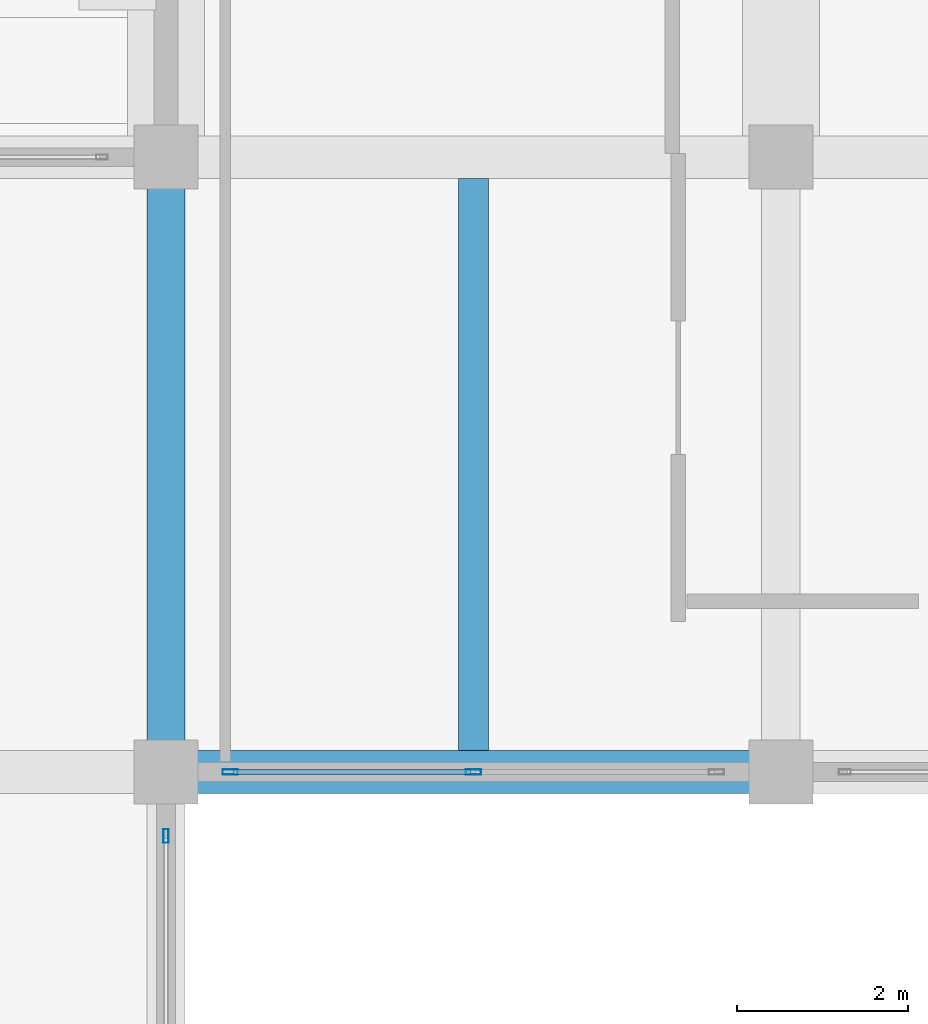
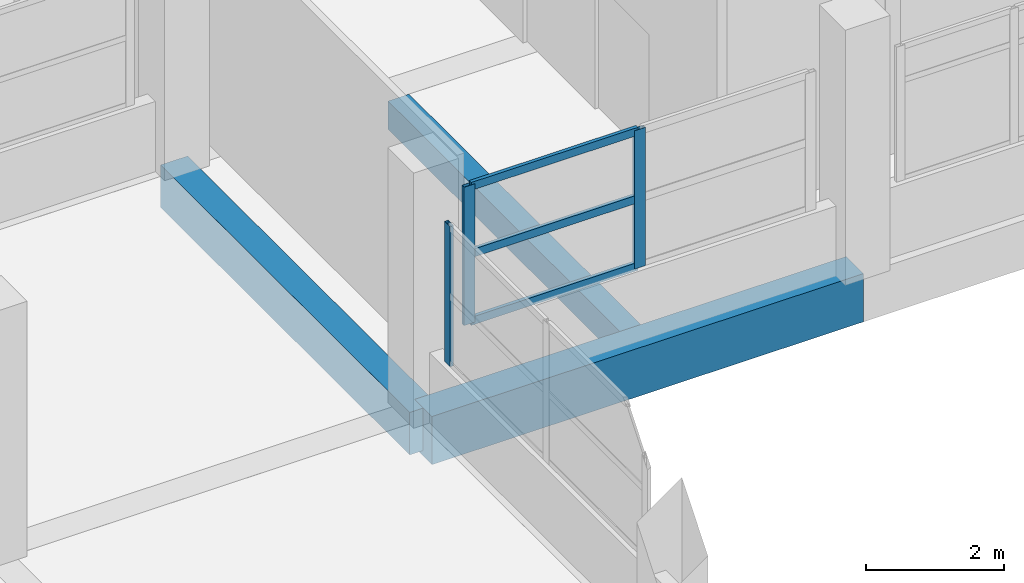
# One storey, part 65 of 141: 6 members, 3 beams, 2 elements without a shape of their own.
"""IFC4 building model written with IfcOpenShell, lengths in metres."""

import ifcopenshell
import ifcopenshell.guid

model = None  # the IFC model being written
_history = None  # IfcOwnerHistory: only IFC2X3 demands one
_inside = {}  # id of a spatial element -> (the spatial element, [elements in it])
_under = {}  # id of a project, library or spatial element -> (it, [spatial elements below it])
_declared = {}  # id of a project -> (the project, [libraries it declares])
_typed = {}  # id of a type object -> (the type object, [elements of that type])
_made_of = {}  # id of a material, layer set ... -> (it, [elements and type objects made of it])


def new_model(schema):
    """Start an empty IFC model of exactly this schema.

    Asked for "IFC4X3", IfcOpenShell would pick the latest addendum, in which some entities
    have other attributes; the version numbers below select the first issue.
    IFC2X3 requires an IfcOwnerHistory on every rooted entity: one is made here for all.
    """
    global model, _history
    if schema == "IFC4X3":
        model = ifcopenshell.file(schema_version=(4, 3, 0, 0))
    else:
        model = ifcopenshell.file(schema=schema)
    _inside.clear()
    _under.clear()
    _declared.clear()
    _typed.clear()
    _made_of.clear()
    _history = None
    if model.schema == "IFC2X3":
        org = make("IfcOrganization", Name="unknown")
        user = make(
            "IfcPersonAndOrganization",
            ThePerson=make("IfcPerson", FamilyName="unknown"),
            TheOrganization=org,
        )
        app = make(
            "IfcApplication",
            ApplicationDeveloper=org,
            Version="unknown",
            ApplicationFullName="unknown",
            ApplicationIdentifier="unknown",
        )
        _history = make(
            "IfcOwnerHistory",
            OwningUser=user,
            OwningApplication=app,
            ChangeAction="ADDED",
            CreationDate=0,
        )
    return model


def make(cls, **values):
    """One entity of the class cls with the attributes given. An attribute that is None is left unset."""
    return model.create_entity(
        cls, **{name: value for name, value in values.items() if value is not None}
    )


def rooted(cls, **values):
    """An entity with a GlobalId (a new one), such as an element, a storey or a relation."""
    return make(cls, GlobalId=ifcopenshell.guid.new(), OwnerHistory=_history, **values)


def si_unit(unit_type, name, prefix=None):
    """IfcSIUnit, for example si_unit("LENGTHUNIT", "METRE", prefix="MILLI")."""
    return make("IfcSIUnit", UnitType=unit_type, Prefix=prefix, Name=name)


def assignment(units):
    """IfcUnitAssignment: the units of a project."""
    return None if units is None else make("IfcUnitAssignment", Units=units)


def point(xyz):
    """IfcCartesianPoint."""
    return None if xyz is None else make("IfcCartesianPoint", Coordinates=xyz)


def direction(xyz):
    """IfcDirection."""
    return None if xyz is None else make("IfcDirection", DirectionRatios=xyz)


def frame(location, z_axis=None, x_axis=None):
    """IfcAxis2Placement3D, a coordinate frame: its origin and axes. An axis left out is left unset."""
    return make(
        "IfcAxis2Placement3D",
        Location=point(location),
        Axis=direction(z_axis),
        RefDirection=direction(x_axis),
    )


def frame_2d(location, x_axis=None):
    """IfcAxis2Placement2D, a coordinate frame in the plane: its origin and x axis."""
    return make(
        "IfcAxis2Placement2D", Location=point(location), RefDirection=direction(x_axis)
    )


def origin():
    """The frame at (0, 0, 0) with its axes left unset."""
    return frame((0.0, 0.0, 0.0))


def origin_2d():
    """The frame at (0, 0) in the plane with its x axis left unset."""
    return frame_2d((0.0, 0.0))


def place(relative_to, where):
    """IfcLocalPlacement: puts the frame where relative to a parent placement (None: the world)."""
    return make(
        "IfcLocalPlacement", PlacementRelTo=relative_to, RelativePlacement=where
    )


def context(
    kind, dimensions, precision=None, world=None, true_north=None, identifier=None
):
    """IfcGeometricRepresentationContext, for example the 3D "Model" context."""
    return make(
        "IfcGeometricRepresentationContext",
        ContextIdentifier=identifier,
        ContextType=kind,
        CoordinateSpaceDimension=dimensions,
        Precision=precision,
        WorldCoordinateSystem=world,
        TrueNorth=true_north,
    )


def subcontext(parent, identifier, kind, view, scale=None):
    """IfcGeometricRepresentationSubContext, for example "Body" below "Model"."""
    return make(
        "IfcGeometricRepresentationSubContext",
        ContextIdentifier=identifier,
        ContextType=kind,
        ParentContext=parent,
        TargetScale=scale,
        TargetView=view,
    )


def project(units=None, contexts=None):
    """IfcProject with its units and contexts."""
    return rooted(
        "IfcProject",
        Name="project",
        RepresentationContexts=contexts,
        UnitsInContext=assignment(units),
    )


def spatial(cls, under=None, at=None, **own):
    """A site, building, storey or space (cls), placed at a placement, below another one or the project."""
    s = rooted(cls, ObjectPlacement=at, **own)
    if under is not None:
        _under.setdefault(under.id(), (under, []))[1].append(s)
    return s


def profile(cls, at=None, kind="AREA", **sizes):
    """A parametric profile (cls). Its sizes go by their IFC names, for example OverallWidth=200.0."""
    return make(cls, ProfileType=kind, Position=at, **sizes)


def rectangle(**sizes):
    """IfcRectangleProfileDef."""
    return profile("IfcRectangleProfileDef", **sizes)


def hollow_rectangle(**sizes):
    """IfcRectangleHollowProfileDef."""
    return profile("IfcRectangleHollowProfileDef", **sizes)


def extrude(swept, where, along, depth):
    """IfcExtrudedAreaSolid: the profile swept, set in the frame where, extruded along a direction by depth."""
    return make(
        "IfcExtrudedAreaSolid",
        SweptArea=swept,
        Position=where,
        ExtrudedDirection=direction(along),
        Depth=depth,
    )


def shape(context_of_items, identifier, shape_type, items):
    """IfcShapeRepresentation: the items that make up one representation, for example the "Body"."""
    return make(
        "IfcShapeRepresentation",
        ContextOfItems=context_of_items,
        RepresentationIdentifier=identifier,
        RepresentationType=shape_type,
        Items=items,
    )


def material(Name=None, Category=None):
    """IfcMaterial."""
    return make("IfcMaterial", Name=Name, Category=Category)


def layer(
    of_material, thickness, ventilated=None, Name=None, Category=None, Priority=None
):
    """IfcMaterialLayer: one layer of a wall or slab, of a material (None: an air gap)."""
    return make(
        "IfcMaterialLayer",
        Material=of_material,
        LayerThickness=thickness,
        IsVentilated=ventilated,
        Name=Name,
        Category=Category,
        Priority=Priority,
    )


def layer_set(layers, Name=None):
    """IfcMaterialLayerSet."""
    return make("IfcMaterialLayerSet", MaterialLayers=layers, LayerSetName=Name)


def material_profile(
    of_material, cross_section, Name=None, Category=None, Priority=None
):
    """IfcMaterialProfile: a cross section and its material."""
    return make(
        "IfcMaterialProfile",
        Name=Name,
        Material=of_material,
        Profile=cross_section,
        Priority=Priority,
        Category=Category,
    )


def profile_set(profiles, Name=None, composite=None):
    """IfcMaterialProfileSet."""
    return make(
        "IfcMaterialProfileSet",
        Name=Name,
        MaterialProfiles=profiles,
        CompositeProfile=composite,
    )


def made_of(thing, what):
    """Note that an element or type object is made of a material, layer set ...; save() writes the relation."""
    if what is not None:
        _made_of.setdefault(what.id(), (what, []))[1].append(thing)
    return thing


def type_object(cls, material=None, **own):
    """A type object (cls), such as IfcWallType, which elements share."""
    return made_of(rooted(cls, **own), material)


def element(
    cls,
    number,
    at=None,
    inside=None,
    cuts=None,
    type_object=None,
    material=None,
    context=None,
    identifier="Body",
    shape_type=None,
    held_by="IfcProductDefinitionShape",
    body=None,
    shapes=None,
    **own,
):
    """One element of the class cls, such as IfcWall. Its Tag is "e" and its number.

    at: its placement. inside: the storey or other place that contains it. cuts: it is an
    opening in that element (IfcRelVoidsElement). A single representation is given by context,
    identifier, shape_type and body (its items); several are given by shapes. held_by: the class
    of the entity that holds the representations. save() writes the other relations.
    """
    e = rooted(cls, Tag="e%d" % number, ObjectPlacement=at, **own)
    if body is not None:
        shapes = [shape(context, identifier, shape_type, body)]
    if shapes is not None:
        e.Representation = make(held_by, Representations=shapes)
    if inside is not None:
        _inside.setdefault(inside.id(), (inside, []))[1].append(e)
    if cuts is not None:
        rooted(
            "IfcRelVoidsElement", RelatingBuildingElement=cuts, RelatedOpeningElement=e
        )
    if type_object is not None:
        _typed.setdefault(type_object.id(), (type_object, []))[1].append(e)
    return made_of(e, material)


def aggregate(whole, parts):
    """IfcRelAggregates: a whole, such as a stair, and the parts it consists of."""
    return rooted("IfcRelAggregates", RelatingObject=whole, RelatedObjects=parts)


def save(model, path):
    """Write the relations noted so far, then the file.

    IfcRelAggregates (storeys below a building ...), IfcRelContainedInSpatialStructure (elements
    in a storey), IfcRelDefinesByType, IfcRelAssociatesMaterial and IfcRelDeclares: one each for
    every whole, place, type object, material and project.
    """
    for whole, parts in _under.values():
        aggregate(whole, parts)
    for where, things in _inside.values():
        rooted(
            "IfcRelContainedInSpatialStructure",
            RelatedElements=things,
            RelatingStructure=where,
        )
    for kind, things in _typed.values():
        rooted("IfcRelDefinesByType", RelatedObjects=things, RelatingType=kind)
    for what, things in _made_of.values():
        rooted("IfcRelAssociatesMaterial", RelatedObjects=things, RelatingMaterial=what)
    for by, libraries in _declared.values():
        rooted("IfcRelDeclares", RelatingContext=by, RelatedDefinitions=libraries)
    model.write(path)


model = new_model("IFC4")

# Units and contexts
model_context = context("Model", 3, precision=1e-05, world=origin(), true_north=direction((0.0, 1.0)))
body_context = subcontext(model_context, "Body", "Model", "MODEL_VIEW")
ifc_project = project(units=[si_unit("LENGTHUNIT", "METRE"), si_unit("AREAUNIT", "SQUARE_METRE"), si_unit("VOLUMEUNIT", "CUBIC_METRE"), si_unit("PLANEANGLEUNIT", "RADIAN"), si_unit("MASSUNIT", "GRAM", prefix="KILO")], contexts=[model_context])

# Site, building, storey
site_placement = place(None, origin())
site = spatial("IfcSite", under=ifc_project, at=site_placement, CompositionType="ELEMENT")
building_placement = place(site_placement, origin())
building = spatial("IfcBuilding", under=site, at=building_placement, Name="Seraya Terrace Polytechnic", CompositionType="ELEMENT")
storey_placement = place(building_placement, frame((0.0, 0.0, 14.39990234375)))
storey = spatial("IfcBuildingStorey", under=building, at=storey_placement, Name="L03", CompositionType="ELEMENT", Elevation=14.39990234375)

# Beams
ifc_material_1 = material(Name="Concrete C40/50", Category="concrete")
ifc_material_profile_1 = material_profile(ifc_material_1, rectangle(XDim=0.5, YDim=0.85009765625, at=origin_2d()), Name="RC 500x850")
ifc_profile_set_1 = profile_set([ifc_material_profile_1], Name="Concrete C40/50")
beam_type_1 = type_object("IfcBeamType", Name="BM-05", PredefinedType="BEAM", material=ifc_profile_set_1)
beam_1_placement = place(storey_placement, frame((43.199951171875, 64.800048828125, -0.4248046875), z_axis=(1.0, 0.0, 0.0), x_axis=(0.0, 1.0, 0.0)))
element("IfcBeam", 1, at=beam_1_placement, inside=storey, type_object=beam_type_1, Name="Beam BM-05 L03 X (43.2..50.4, 64.8)", PredefinedType="BEAM", context=body_context, shape_type="SweptSolid", body=[
    extrude(rectangle(XDim=0.5, YDim=0.85009765625, at=origin_2d()), origin(), (0.0, 0.0, 1.0), 7.199951171875),
])
ifc_material_profile_2 = material_profile(ifc_material_1, rectangle(XDim=0.449951171875, YDim=0.75, at=origin_2d()), Name="RC 450x750")
ifc_profile_set_2 = profile_set([ifc_material_profile_2], Name="Concrete C40/50")
beam_type_2 = type_object("IfcBeamType", Name="BM-08", PredefinedType="BEAM", material=ifc_profile_set_2)
beam_2_placement = place(storey_placement, frame((43.199951171875, 64.800048828125, -0.375), z_axis=(0.0, 1.0, 0.0), x_axis=(-1.0, 0.0, 0.0)))
element("IfcBeam", 2, at=beam_2_placement, inside=storey, type_object=beam_type_2, Name="Beam BM-08 L03 Y (43.2, 64.8..72.0)", PredefinedType="BEAM", context=body_context, shape_type="SweptSolid", body=[
    extrude(rectangle(XDim=0.449951171875, YDim=0.75, at=origin_2d()), origin(), (0.0, 0.0, 1.0), 7.199951171875),
])

# Curtain wall, members
ifc_material_2 = material(Name="Anodised aluminium EN AW-6063 T6", Category="aluminium")
ifc_layer_1 = layer(ifc_material_2, 0.179931640625, Name="CW-01")
ifc_layer_set_1 = layer_set([ifc_layer_1], Name="Anodised aluminium EN AW-6063 T6")
curtain_wall_type_1 = type_object("IfcCurtainWallType", Name="CW-01", PredefinedType="NOTDEFINED", material=ifc_layer_set_1)
curtain_wall_1_placement = place(storey_placement, origin())
curtain_wall_1 = element("IfcCurtainWall", 3, at=curtain_wall_1_placement, inside=storey, type_object=curtain_wall_type_1, Name="Unitised curtain wall CW-01 (CW-L03-145)", PredefinedType="NOTDEFINED")
ifc_material_profile_3 = material_profile(ifc_material_2, hollow_rectangle(XDim=0.06494140625, YDim=0.179931640625, WallThickness=0.00390625, at=origin_2d()), Name="RHS 180x65x4.0")
ifc_profile_set_3 = profile_set([ifc_material_profile_3], Name="Anodised aluminium EN AW-6063 T6")
member_type_1 = type_object("IfcMemberType", Name="CWM-01", PredefinedType="MULLION", material=ifc_profile_set_3)
member_1_placement = place(storey_placement, frame((46.800048828125, 64.800048828125, 1.239990234375), z_axis=(0.0, 0.0, 1.0), x_axis=(0.0, -1.0, 0.0)))
member_1 = element("IfcMember", 4, at=member_1_placement, type_object=member_type_1, Name="CW-01 mullion 2", PredefinedType="MULLION", context=body_context, shape_type="SweptSolid", body=[
    extrude(hollow_rectangle(XDim=0.06494140625, YDim=0.179931640625, WallThickness=0.00390625, at=origin_2d()), origin(), (0.0, 0.0, 1.0), 2.440185546875),
])
member_2_placement = place(storey_placement, frame((43.952392578125, 64.800048828125, 1.239990234375), z_axis=(0.0, 0.0, 1.0), x_axis=(0.0, -1.0, 0.0)))
member_2 = element("IfcMember", 5, at=member_2_placement, type_object=member_type_1, Name="CW-01 mullion 3", PredefinedType="MULLION", context=body_context, shape_type="SweptSolid", body=[
    extrude(hollow_rectangle(XDim=0.06494140625, YDim=0.179931640625, WallThickness=0.00390625, at=origin_2d()), origin(), (0.0, 0.0, 1.0), 2.440185546875),
])

# Curtain wall, member
ifc_layer_2 = layer(ifc_material_2, 0.179931640625, Name="CW-02")
ifc_layer_set_2 = layer_set([ifc_layer_2], Name="Anodised aluminium EN AW-6063 T6")
curtain_wall_type_2 = type_object("IfcCurtainWallType", Name="CW-02", PredefinedType="NOTDEFINED", material=ifc_layer_set_2)
curtain_wall_2_placement = place(storey_placement, origin())
curtain_wall_2 = element("IfcCurtainWall", 6, at=curtain_wall_2_placement, inside=storey, type_object=curtain_wall_type_2, Name="Unitised curtain wall CW-02 (CW-L03-146)", PredefinedType="NOTDEFINED")
ifc_material_profile_4 = material_profile(ifc_material_2, hollow_rectangle(XDim=0.06005859375, YDim=0.159912109375, WallThickness=0.00341796875, at=origin_2d()), Name="RHS 160x60x3.5")
ifc_profile_set_4 = profile_set([ifc_material_profile_4], Name="Anodised aluminium EN AW-6063 T6")
member_type_2 = type_object("IfcMemberType", Name="CWM-02", PredefinedType="MULLION", material=ifc_profile_set_4)
member_3_placement = place(storey_placement, frame((43.199951171875, 64.050048828125, 1.239990234375), z_axis=(0.0, 0.0, 1.0), x_axis=(1.0, 0.0, 0.0)))
member_3 = element("IfcMember", 7, at=member_3_placement, type_object=member_type_2, Name="CW-02 mullion 1", PredefinedType="MULLION", context=body_context, shape_type="SweptSolid", body=[
    extrude(hollow_rectangle(XDim=0.06005859375, YDim=0.159912109375, WallThickness=0.00341796875, at=origin_2d()), origin(), (0.0, 0.0, 1.0), 2.47021484375),
])
aggregate(curtain_wall_2, [member_3])

# Member
ifc_material_profile_5 = material_profile(ifc_material_2, hollow_rectangle(XDim=0.06005859375, YDim=0.139892578125, WallThickness=0.00341796875, at=origin_2d()), Name="RHS 140x60x3.5")
ifc_profile_set_5 = profile_set([ifc_material_profile_5], Name="Anodised aluminium EN AW-6063 T6")
member_type_3 = type_object("IfcMemberType", Name="CWT-01", PredefinedType="USERDEFINED", material=ifc_profile_set_5)
member_4_placement = place(storey_placement, frame((46.767578125, 64.800048828125, 1.27001953125), z_axis=(-1.0, 0.0, 0.0), x_axis=(0.0, -1.0, 0.0)))
member_4 = element("IfcMember", 8, at=member_4_placement, type_object=member_type_3, Name="CW-01 transom 2.1", ObjectType="TRANSOM", PredefinedType="USERDEFINED", context=body_context, shape_type="SweptSolid", body=[
    extrude(hollow_rectangle(XDim=0.06005859375, YDim=0.139892578125, WallThickness=0.00341796875, at=origin_2d()), origin(), (0.0, 0.0, 1.0), 2.782470703125),
])

member_5_placement = place(storey_placement, frame((46.767578125, 64.800048828125, 2.460205078125), z_axis=(-1.0, 0.0, 0.0), x_axis=(0.0, -1.0, 0.0)))
member_5 = element("IfcMember", 9, at=member_5_placement, type_object=member_type_3, Name="CW-01 transom 2.2", ObjectType="TRANSOM", PredefinedType="USERDEFINED", context=body_context, shape_type="SweptSolid", body=[
    extrude(hollow_rectangle(XDim=0.06005859375, YDim=0.139892578125, WallThickness=0.00341796875, at=origin_2d()), origin(), (0.0, 0.0, 1.0), 2.782470703125),
])

member_6_placement = place(storey_placement, frame((46.767578125, 64.800048828125, 3.650146484375), z_axis=(-1.0, 0.0, 0.0), x_axis=(0.0, -1.0, 0.0)))
member_6 = element("IfcMember", 10, at=member_6_placement, type_object=member_type_3, Name="CW-01 transom 2.3", ObjectType="TRANSOM", PredefinedType="USERDEFINED", context=body_context, shape_type="SweptSolid", body=[
    extrude(hollow_rectangle(XDim=0.06005859375, YDim=0.139892578125, WallThickness=0.00341796875, at=origin_2d()), origin(), (0.0, 0.0, 1.0), 2.782470703125),
])

aggregate(curtain_wall_1, [member_1, member_2, member_4, member_5, member_6])

# Beam
ifc_material_profile_6 = material_profile(ifc_material_1, rectangle(XDim=0.35009765625, YDim=0.5, at=origin_2d()), Name="RC 350x500")
ifc_profile_set_6 = profile_set([ifc_material_profile_6], Name="Concrete C40/50")
beam_type_3 = type_object("IfcBeamType", Name="JS-03", PredefinedType="JOIST", material=ifc_profile_set_6)
beam_3_placement = place(storey_placement, frame((46.800048828125, 65.050048828125, -0.25), z_axis=(0.0, 1.0, 0.0), x_axis=(-1.0, 0.0, 0.0)))
element("IfcBeam", 11, at=beam_3_placement, inside=storey, type_object=beam_type_3, Name="Secondary joist JS-03 L03", PredefinedType="JOIST", context=body_context, shape_type="SweptSolid", body=[
    extrude(rectangle(XDim=0.35009765625, YDim=0.5, at=origin_2d()), origin(), (0.0, 0.0, 1.0), 6.699951171875),
])

save(model, "model.ifc")
